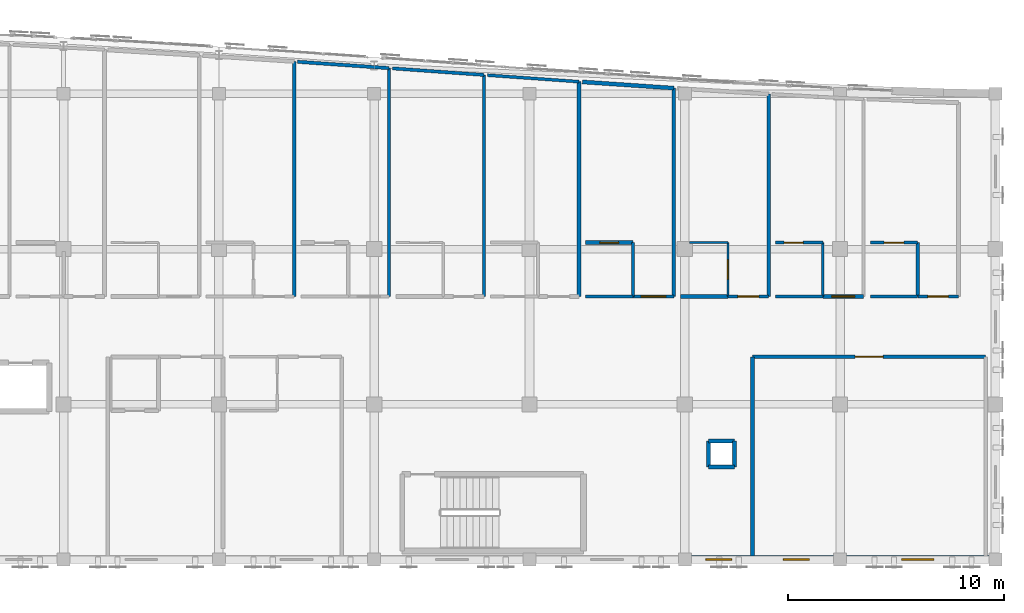
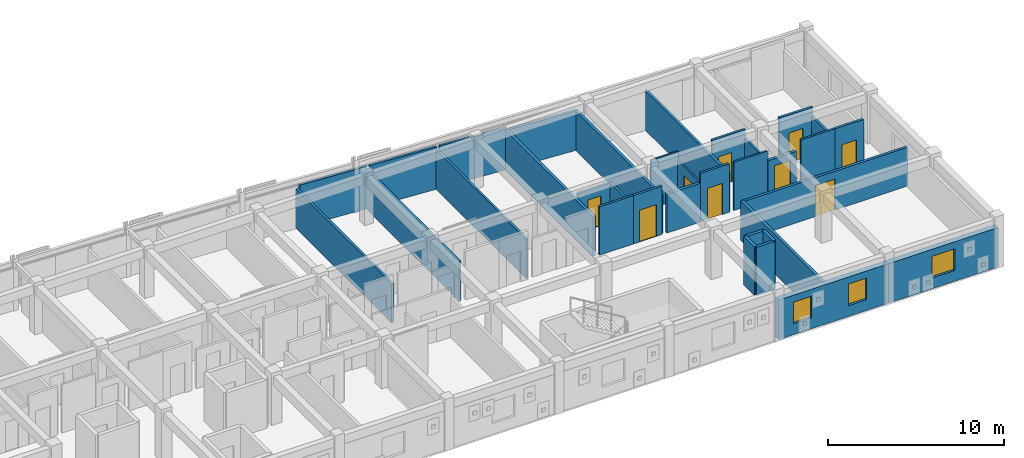
# One storey, part 43 of 48: 34 walls, 9 doors, 3 windows, 12 openings.
"""IFC4 building model written with IfcOpenShell, lengths in metres."""

from ifc_helpers import new_model, si_unit, direction, frame, frame_2d, origin, place, context, subcontext, project, spatial, rectangle, extrude, material, layer, layer_set, type_object, element, fill, save


model = new_model("IFC4")

# Units and contexts
model_context = context("Model", 3, precision=1e-05, world=origin(), true_north=direction((0.0, 1.0)))
body_context = subcontext(model_context, "Body", "Model", "MODEL_VIEW")
ifc_project = project(units=[si_unit("LENGTHUNIT", "METRE"), si_unit("AREAUNIT", "SQUARE_METRE"), si_unit("VOLUMEUNIT", "CUBIC_METRE"), si_unit("PLANEANGLEUNIT", "RADIAN"), si_unit("MASSUNIT", "GRAM", prefix="KILO")], contexts=[model_context])

# Site, building, storey
site_placement = place(None, origin())
site = spatial("IfcSite", under=ifc_project, at=site_placement, CompositionType="ELEMENT")
building_placement = place(site_placement, origin())
building = spatial("IfcBuilding", under=site, at=building_placement, Name="Carrowvane Square Congress Hotel", CompositionType="ELEMENT")
storey_placement = place(building_placement, frame((0.0, 0.0, 26.39990234375)))
storey = spatial("IfcBuildingStorey", under=building, at=storey_placement, Name="L06", CompositionType="ELEMENT", Elevation=26.39990234375)

# Wall, opening, window
ifc_material_1 = material(Name="Glazed terracotta rainscreen", Category="masonry")
ifc_layer_1 = layer(ifc_material_1, 0.360107421875)
ifc_layer_set_1 = layer_set([ifc_layer_1], Name="Glazed terracotta rainscreen")
wall_type_1 = type_object("IfcWallType", Name="WL-EXT-TC360", PredefinedType="STANDARD", material=ifc_layer_set_1)
wall_1_placement = place(storey_placement, frame((162.800048828125, 91.800048828125, 0.0), z_axis=(0.0, 0.0, 1.0), x_axis=(-1.0, 0.0, 0.0)))
wall_1 = element("IfcWall", 1, at=wall_1_placement, inside=storey, type_object=wall_type_1, Name="L06 exterior facade wall 486", PredefinedType="STANDARD", context=body_context, shape_type="SweptSolid", body=[
    extrude(rectangle(XDim=7.199951171875, YDim=0.360107421875, at=frame_2d((3.60009765625, 0.0))), origin(), (0.0, 0.0, 1.0), 2.735107421875),
])
opening_1_placement = place(wall_1_placement, frame((2.85009765625, 0.0, 0.75)))
opening_1 = element("IfcOpeningElement", 2, at=opening_1_placement, cuts=wall_1, Name="Opening W-15", PredefinedType="OPENING", context=body_context, shape_type="SweptSolid", body=[
    extrude(rectangle(XDim=1.5, YDim=1.5, at=frame_2d((0.75, 0.75))), frame((0.0, 0.18994140625, 0.0), z_axis=(0.0, -1.0, 0.0), x_axis=(1.0, 0.0, 0.0)), (0.0, 0.0, 1.0), 0.380126953125),
])
ifc_material_2 = material(Name="Double-glazed low-E glass", Category="glass")
window_type_1 = type_object("IfcWindowType", Name="WIN-15", PartitioningType="SINGLE_PANEL", PredefinedType="WINDOW", material=ifc_material_2)
window_1_placement = place(opening_1_placement, origin())
window_1 = element("IfcWindow", 3, at=window_1_placement, inside=storey, type_object=window_type_1, Name="L06 facade window 316", OverallHeight=1.5, OverallWidth=1.5, PartitioningType="SINGLE_PANEL", PredefinedType="WINDOW", context=body_context, shape_type="SweptSolid", body=[
    extrude(rectangle(XDim=1.5, YDim=1.5, at=frame_2d((0.75, 0.75))), frame((0.0, 0.030029296875, 0.0), z_axis=(0.0, -1.0, 0.0), x_axis=(1.0, 0.0, 0.0)), (0.0, 0.0, 1.0), 0.06005859375),
])
fill(opening_1, window_1)

# Wall, openings, windows
wall_2_placement = place(storey_placement, frame((155.60009765625, 91.800048828125, 0.0), z_axis=(0.0, 0.0, 1.0), x_axis=(-1.0, 0.0, 0.0)))
wall_2 = element("IfcWall", 4, at=wall_2_placement, inside=storey, type_object=wall_type_1, Name="L06 exterior facade wall 487", PredefinedType="STANDARD", context=body_context, shape_type="SweptSolid", body=[
    extrude(rectangle(XDim=7.2001953125, YDim=0.360107421875, at=frame_2d((3.60009765625, 0.0))), origin(), (0.0, 0.0, 1.0), 2.735107421875),
])
opening_2_placement = place(wall_2_placement, frame((1.425048828125, 0.0, 0.75)))
opening_2 = element("IfcOpeningElement", 5, at=opening_2_placement, cuts=wall_2, Name="Opening W-01", PredefinedType="OPENING", context=body_context, shape_type="SweptSolid", body=[
    extrude(rectangle(XDim=1.199951171875, YDim=1.5, at=frame_2d((0.60009765625, 0.75))), frame((0.0, 0.18994140625, 0.0), z_axis=(0.0, -1.0, 0.0), x_axis=(1.0, 0.0, 0.0)), (0.0, 0.0, 1.0), 0.380126953125),
])
opening_3_placement = place(wall_2_placement, frame((5.02490234375, 0.0, 0.75)))
opening_3 = element("IfcOpeningElement", 6, at=opening_3_placement, cuts=wall_2, Name="Opening W-01", PredefinedType="OPENING", context=body_context, shape_type="SweptSolid", body=[
    extrude(rectangle(XDim=1.199951171875, YDim=1.5, at=frame_2d((0.60009765625, 0.75))), frame((0.0, 0.18994140625, 0.0), z_axis=(0.0, -1.0, 0.0), x_axis=(1.0, 0.0, 0.0)), (0.0, 0.0, 1.0), 0.380126953125),
])
ifc_material_3 = material(Name="Double-glazed low-E glass", Category="glass")
window_type_2 = type_object("IfcWindowType", Name="WIN-01", PartitioningType="SINGLE_PANEL", PredefinedType="WINDOW", material=ifc_material_3)
window_2_placement = place(opening_2_placement, origin())
window_2 = element("IfcWindow", 7, at=window_2_placement, inside=storey, type_object=window_type_2, Name="L06 facade window 317", OverallHeight=1.5, OverallWidth=1.199951171875, PartitioningType="SINGLE_PANEL", PredefinedType="WINDOW", context=body_context, shape_type="SweptSolid", body=[
    extrude(rectangle(XDim=1.199951171875, YDim=1.5, at=frame_2d((0.60009765625, 0.75))), frame((0.0, 0.030029296875, 0.0), z_axis=(0.0, -1.0, 0.0), x_axis=(1.0, 0.0, 0.0)), (0.0, 0.0, 1.0), 0.06005859375),
])
fill(opening_2, window_2)
window_3_placement = place(opening_3_placement, origin())
window_3 = element("IfcWindow", 8, at=window_3_placement, inside=storey, type_object=window_type_2, Name="L06 split-bay facade window WIN-L06-0317-1", OverallHeight=1.5, OverallWidth=1.199951171875, PartitioningType="SINGLE_PANEL", PredefinedType="WINDOW", context=body_context, shape_type="SweptSolid", body=[
    extrude(rectangle(XDim=1.199951171875, YDim=1.5, at=frame_2d((0.60009765625, 0.75))), frame((0.0, 0.030029296875, 0.0), z_axis=(0.0, -1.0, 0.0), x_axis=(1.0, 0.0, 0.0)), (0.0, 0.0, 1.0), 0.06005859375),
])
fill(opening_3, window_3)

# Walls
ifc_material_4 = material(Name="Acoustic gypsum board", Category="gypsum")
ifc_layer_2 = layer(ifc_material_4, 0.155029296875)
ifc_layer_set_2 = layer_set([ifc_layer_2], Name="Acoustic gypsum board")
wall_type_2 = type_object("IfcWallType", Name="WL-FIR-155", PredefinedType="PARTITIONING", material=ifc_layer_set_2)
wall_3_placement = place(storey_placement, frame((130.2900390625, 114.892822265625, 0.0), z_axis=(0.0, 0.0, 1.0), x_axis=(0.0, -1.0, 0.0)))
element("IfcWall", 9, at=wall_3_placement, inside=storey, type_object=wall_type_2, Name="L06 Parkview Guest Bedroom 0625 partition", PredefinedType="PARTITIONING", context=body_context, shape_type="SweptSolid", body=[
    extrude(rectangle(XDim=10.892822265625, YDim=0.155029296875, at=frame_2d((5.4462890625, 0.0))), origin(), (0.0, 0.0, 1.0), 2.735107421875),
])
wall_4_placement = place(storey_placement, frame((130.449951171875, 114.8818359375, 0.0), z_axis=(0.0, 0.0, 1.0), x_axis=(0.997589640376, -0.069389548314, 0.0)))
element("IfcWall", 10, at=wall_4_placement, inside=storey, type_object=wall_type_2, Name="L06 Parkview Guest Bedroom 0626 partition", PredefinedType="PARTITIONING", context=body_context, shape_type="SweptSolid", body=[
    extrude(rectangle(XDim=4.250244140625, YDim=0.155029296875, at=frame_2d((2.125, 0.0))), origin(), (0.0, 0.0, 1.0), 2.92578125),
])
wall_5_placement = place(storey_placement, frame((146.0, 106.5, 0.0), z_axis=(0.0, 0.0, 1.0), x_axis=(0.0, -1.0, 0.0)))
element("IfcWall", 11, at=wall_5_placement, inside=storey, type_object=wall_type_2, Name="L06 En-suite Bathroom 0629 partition", PredefinedType="PARTITIONING", context=body_context, shape_type="SweptSolid", body=[
    extrude(rectangle(XDim=2.5, YDim=0.155029296875, at=frame_2d((1.25, 0.0))), origin(), (0.0, 0.0, 1.0), 2.735107421875),
])

# Wall, opening, door
wall_6_placement = place(storey_placement, frame((147.889892578125, 104.0, 0.0), z_axis=(0.0, 0.0, 1.0), x_axis=(-1.0, 0.0, 0.0)))
wall_6 = element("IfcWall", 12, at=wall_6_placement, inside=storey, type_object=wall_type_2, Name="L06 Parkview Guest Bedroom 0629 partition", PredefinedType="PARTITIONING", context=body_context, shape_type="SweptSolid", body=[
    extrude(rectangle(XDim=1.8798828125, YDim=0.155029296875, at=frame_2d((0.93994140625, 0.0))), origin(), (0.0, 0.0, 1.0), 3.35009765625),
])
opening_4_placement = place(wall_6_placement, frame((0.3798828125, 0.0, 0.0)))
opening_4 = element("IfcOpeningElement", 13, at=opening_4_placement, cuts=wall_6, Name="Opening FD-10", PredefinedType="OPENING", context=body_context, shape_type="SweptSolid", body=[
    extrude(rectangle(XDim=1.1201171875, YDim=2.199951171875, at=frame_2d((0.56005859375, 1.10009765625))), frame((0.0, 0.08740234375, 0.0), z_axis=(0.0, -1.0, 0.0), x_axis=(1.0, 0.0, 0.0)), (0.0, 0.0, 1.0), 0.175048828125),
])
ifc_material_5 = material(Name="European oak timber", Category="wood")
door_type_1 = type_object("IfcDoorType", Name="DR-FD30-1120x2200", OperationType="NOTDEFINED", PredefinedType="DOOR", material=ifc_material_5)
door_1_placement = place(opening_4_placement, origin())
door_1 = element("IfcDoor", 14, at=door_1_placement, inside=storey, type_object=door_type_1, Name="L06 Parkview Guest Bedroom 0629 entrance door", OperationType="SINGLE_SWING_LEFT", OverallHeight=2.199951171875, OverallWidth=1.1201171875, PredefinedType="DOOR", context=body_context, shape_type="SweptSolid", body=[
    extrude(rectangle(XDim=1.1201171875, YDim=2.199951171875, at=frame_2d((0.56005859375, 1.10009765625))), frame((0.0, 0.02490234375, 0.0), z_axis=(0.0, -1.0, 0.0), x_axis=(1.0, 0.0, 0.0)), (0.0, 0.0, 1.0), 0.050048828125),
])
fill(opening_4, door_1)

# Wall
wall_7_placement = place(storey_placement, frame((152.2900390625, 113.385009765625, 0.0), z_axis=(0.0, 0.0, 1.0), x_axis=(0.0, -1.0, 0.0)))
element("IfcWall", 15, at=wall_7_placement, inside=storey, type_object=wall_type_2, Name="L06 Parkview Guest Bedroom 0630 partition", PredefinedType="PARTITIONING", context=body_context, shape_type="SweptSolid", body=[
    extrude(rectangle(XDim=9.385009765625, YDim=0.155029296875, at=frame_2d((4.6923828125, 0.0))), origin(), (0.0, 0.0, 1.0), 2.735107421875),
])

# Wall, opening, door
wall_8_placement = place(storey_placement, frame((157.0, 106.5, 0.0), z_axis=(0.0, 0.0, 1.0), x_axis=(1.0, 0.0, 0.0)))
wall_8 = element("IfcWall", 16, at=wall_8_placement, inside=storey, type_object=wall_type_2, Name="L06 En-suite Bathroom 0632 partition", PredefinedType="PARTITIONING", context=body_context, shape_type="SweptSolid", body=[
    extrude(rectangle(XDim=2.199951171875, YDim=0.155029296875, at=frame_2d((1.10009765625, 0.0))), origin(), (0.0, 0.0, 1.0), 3.35009765625),
])
opening_5_placement = place(wall_8_placement, frame((0.639892578125, 0.0, 0.0)))
opening_5 = element("IfcOpeningElement", 17, at=opening_5_placement, cuts=wall_8, Name="Opening ID-03", PredefinedType="OPENING", context=body_context, shape_type="SweptSolid", body=[
    extrude(rectangle(XDim=0.919921875, YDim=2.10009765625, at=frame_2d((0.4599609375, 1.050048828125))), frame((0.0, 0.08740234375, 0.0), z_axis=(0.0, -1.0, 0.0), x_axis=(1.0, 0.0, 0.0)), (0.0, 0.0, 1.0), 0.175048828125),
])
ifc_material_6 = material(Name="European oak timber", Category="wood")
door_type_2 = type_object("IfcDoorType", Name="DR-INT-0920x2100", OperationType="NOTDEFINED", PredefinedType="DOOR", material=ifc_material_6)
door_2_placement = place(opening_5_placement, origin())
door_2 = element("IfcDoor", 18, at=door_2_placement, inside=storey, type_object=door_type_2, Name="L06 En-suite Bathroom 0632 door", OperationType="SINGLE_SWING_RIGHT", OverallHeight=2.10009765625, OverallWidth=0.919921875, PredefinedType="DOOR", context=body_context, shape_type="SweptSolid", body=[
    extrude(rectangle(XDim=0.919921875, YDim=2.10009765625, at=frame_2d((0.4599609375, 1.050048828125))), frame((0.0, 0.02490234375, 0.0), z_axis=(0.0, -1.0, 0.0), x_axis=(1.0, 0.0, 0.0)), (0.0, 0.0, 1.0), 0.050048828125),
])
fill(opening_5, door_2)

wall_9_placement = place(storey_placement, frame((161.090087890625, 104.0, 0.0), z_axis=(0.0, 0.0, 1.0), x_axis=(-1.0, 0.0, 0.0)))
wall_9 = element("IfcWall", 19, at=wall_9_placement, inside=storey, type_object=wall_type_2, Name="L06 Parkview Guest Bedroom 0632 partition", PredefinedType="PARTITIONING", context=body_context, shape_type="SweptSolid", body=[
    extrude(rectangle(XDim=1.880126953125, YDim=0.155029296875, at=frame_2d((0.93994140625, 0.0))), origin(), (0.0, 0.0, 1.0), 3.35009765625),
])
opening_6_placement = place(wall_9_placement, frame((0.465087890625, 0.0, 0.0)))
opening_6 = element("IfcOpeningElement", 20, at=opening_6_placement, cuts=wall_9, Name="Opening FD-06", PredefinedType="OPENING", context=body_context, shape_type="SweptSolid", body=[
    extrude(rectangle(XDim=0.949951171875, YDim=2.10009765625, at=frame_2d((0.47509765625, 1.050048828125))), frame((0.0, 0.08740234375, 0.0), z_axis=(0.0, -1.0, 0.0), x_axis=(1.0, 0.0, 0.0)), (0.0, 0.0, 1.0), 0.175048828125),
])
ifc_material_7 = material(Name="European oak timber", Category="wood")
door_type_3 = type_object("IfcDoorType", Name="DR-FD30-0950x2100", OperationType="NOTDEFINED", PredefinedType="DOOR", material=ifc_material_7)
door_3_placement = place(opening_6_placement, origin())
door_3 = element("IfcDoor", 21, at=door_3_placement, inside=storey, type_object=door_type_3, Name="L06 Parkview Guest Bedroom 0632 entrance door", OperationType="SINGLE_SWING_LEFT", OverallHeight=2.10009765625, OverallWidth=0.949951171875, PredefinedType="DOOR", context=body_context, shape_type="SweptSolid", body=[
    extrude(rectangle(XDim=0.949951171875, YDim=2.10009765625, at=frame_2d((0.47509765625, 1.050048828125))), frame((0.0, 0.02490234375, 0.0), z_axis=(0.0, -1.0, 0.0), x_axis=(1.0, 0.0, 0.0)), (0.0, 0.0, 1.0), 0.050048828125),
])
fill(opening_6, door_3)

ifc_material_8 = material(Name="Acoustic gypsum board", Category="gypsum")
ifc_layer_3 = layer(ifc_material_8, 0.169921875)
ifc_layer_set_3 = layer_set([ifc_layer_3], Name="Acoustic gypsum board")
wall_type_3 = type_object("IfcWallType", Name="WL-FIR-170", PredefinedType="PARTITIONING", material=ifc_layer_set_3)
wall_10_placement = place(storey_placement, frame((151.550048828125, 101.199951171875, 0.0), z_axis=(0.0, 0.0, 1.0), x_axis=(1.0, 0.0, 0.0)))
wall_10 = element("IfcWall", 22, at=wall_10_placement, inside=storey, type_object=wall_type_3, Name="L06 L06 Diplomatic Reception Lounge partition", PredefinedType="PARTITIONING", context=body_context, shape_type="SweptSolid", body=[
    extrude(rectangle(XDim=10.800048828125, YDim=0.169921875, at=frame_2d((5.39990234375, 0.0))), origin(), (0.0, 0.0, 1.0), 2.68505859375),
])
opening_7_placement = place(wall_10_placement, frame((4.75, 0.0, 0.0)))
opening_7 = element("IfcOpeningElement", 23, at=opening_7_placement, cuts=wall_10, Name="Opening FD-03", PredefinedType="OPENING", context=body_context, shape_type="SweptSolid", body=[
    extrude(rectangle(XDim=1.300048828125, YDim=2.14990234375, at=frame_2d((0.64990234375, 1.074951171875))), frame((0.0, 0.094970703125, 0.0), z_axis=(0.0, -1.0, 0.0), x_axis=(1.0, 0.0, 0.0)), (0.0, 0.0, 1.0), 0.18994140625),
])
ifc_material_9 = material(Name="European oak timber", Category="wood")
door_type_4 = type_object("IfcDoorType", Name="DR-FD60-1300x2150", OperationType="NOTDEFINED", PredefinedType="DOOR", material=ifc_material_9)
door_4_placement = place(opening_7_placement, origin())
door_4 = element("IfcDoor", 24, at=door_4_placement, inside=storey, type_object=door_type_4, Name="L06 L06 Diplomatic Reception Lounge entrance door", OperationType="SINGLE_SWING_LEFT", OverallHeight=2.14990234375, OverallWidth=1.300048828125, PredefinedType="DOOR", context=body_context, shape_type="SweptSolid", body=[
    extrude(rectangle(XDim=1.300048828125, YDim=2.14990234375, at=frame_2d((0.64990234375, 1.074951171875))), frame((0.0, 0.02490234375, 0.0), z_axis=(0.0, -1.0, 0.0), x_axis=(1.0, 0.0, 0.0)), (0.0, 0.0, 1.0), 0.050048828125),
])
fill(opening_7, door_4)

wall_11_placement = place(storey_placement, frame((143.800048828125, 106.5, 0.0), z_axis=(0.0, 0.0, 1.0), x_axis=(1.0, 0.0, 0.0)))
wall_11 = element("IfcWall", 25, at=wall_11_placement, inside=storey, type_object=wall_type_3, Name="L06 En-suite Bathroom 0629 partition", PredefinedType="PARTITIONING", context=body_context, shape_type="SweptSolid", body=[
    extrude(rectangle(XDim=2.199951171875, YDim=0.169921875, at=frame_2d((1.10009765625, 0.0))), origin(), (0.0, 0.0, 1.0), 2.735107421875),
])
opening_8_placement = place(wall_11_placement, frame((0.6650390625, 0.0, 0.0)))
opening_8 = element("IfcOpeningElement", 26, at=opening_8_placement, cuts=wall_11, Name="Opening ID-15", PredefinedType="OPENING", context=body_context, shape_type="SweptSolid", body=[
    extrude(rectangle(XDim=0.8701171875, YDim=2.070068359375, at=frame_2d((0.43505859375, 1.03515625))), frame((0.0, 0.094970703125, 0.0), z_axis=(0.0, -1.0, 0.0), x_axis=(1.0, 0.0, 0.0)), (0.0, 0.0, 1.0), 0.18994140625),
])
ifc_material_10 = material(Name="European oak timber", Category="wood")
door_type_5 = type_object("IfcDoorType", Name="DR-INT-0870x2070", OperationType="NOTDEFINED", PredefinedType="DOOR", material=ifc_material_10)
door_5_placement = place(opening_8_placement, origin())
door_5 = element("IfcDoor", 27, at=door_5_placement, inside=storey, type_object=door_type_5, Name="L06 En-suite Bathroom 0629 door", OperationType="SINGLE_SWING_RIGHT", OverallHeight=2.070068359375, OverallWidth=0.8701171875, PredefinedType="DOOR", context=body_context, shape_type="SweptSolid", body=[
    extrude(rectangle(XDim=0.8701171875, YDim=2.070068359375, at=frame_2d((0.43505859375, 1.03515625))), frame((0.0, 0.02490234375, 0.0), z_axis=(0.0, -1.0, 0.0), x_axis=(1.0, 0.0, 0.0)), (0.0, 0.0, 1.0), 0.050048828125),
])
fill(opening_8, door_5)

# Walls
wall_12_placement = place(storey_placement, frame((147.889892578125, 113.659423828125, 0.0), z_axis=(0.0, 0.0, 1.0), x_axis=(0.0, -1.0, 0.0)))
element("IfcWall", 28, at=wall_12_placement, inside=storey, type_object=wall_type_3, Name="L06 Parkview Guest Bedroom 0629 partition", PredefinedType="PARTITIONING", context=body_context, shape_type="SweptSolid", body=[
    extrude(rectangle(XDim=9.659423828125, YDim=0.169921875, at=frame_2d((4.82958984375, 0.0))), origin(), (0.0, 0.0, 1.0), 2.735107421875),
])
ifc_material_11 = material(Name="Acoustic gypsum board", Category="gypsum")
ifc_layer_4 = layer(ifc_material_11, 0.18505859375)
ifc_layer_set_4 = layer_set([ifc_layer_4], Name="Acoustic gypsum board")
wall_type_4 = type_object("IfcWallType", Name="WL-FIR-185", PredefinedType="PARTITIONING", material=ifc_layer_set_4)
wall_13_placement = place(storey_placement, frame((151.550048828125, 91.9599609375, 0.0), z_axis=(0.0, 0.0, 1.0), x_axis=(0.0, 1.0, 0.0)))
element("IfcWall", 29, at=wall_13_placement, inside=storey, type_object=wall_type_4, Name="L06 L06 Diplomatic Reception Lounge partition", PredefinedType="PARTITIONING", context=body_context, shape_type="SweptSolid", body=[
    extrude(rectangle(XDim=9.239990234375, YDim=0.18505859375, at=frame_2d((4.6201171875, 0.0))), origin(), (0.0, 0.0, 1.0), 2.735107421875),
])
wall_14_placement = place(storey_placement, frame((143.489990234375, 113.959228515625, 0.0), z_axis=(0.0, 0.0, 1.0), x_axis=(0.0, -1.0, 0.0)))
element("IfcWall", 30, at=wall_14_placement, inside=storey, type_object=wall_type_4, Name="L06 Parkview Guest Bedroom 0628 partition", PredefinedType="PARTITIONING", context=body_context, shape_type="SweptSolid", body=[
    extrude(rectangle(XDim=9.959228515625, YDim=0.18505859375, at=frame_2d((4.9794921875, 0.0))), origin(), (0.0, 0.0, 1.0), 2.735107421875),
])
wall_15_placement = place(storey_placement, frame((143.64990234375, 113.947998046875, 0.0), z_axis=(0.0, 0.0, 1.0), x_axis=(0.997691925912, -0.067903026224, 0.0)))
element("IfcWall", 31, at=wall_15_placement, inside=storey, type_object=wall_type_4, Name="L06 Parkview Guest Bedroom 0629 partition", PredefinedType="PARTITIONING", context=body_context, shape_type="SweptSolid", body=[
    extrude(rectangle(XDim=4.249755859375, YDim=0.18505859375, at=frame_2d((2.125, 0.0))), origin(), (0.0, 0.0, 1.0), 2.735107421875),
])
wall_16_placement = place(storey_placement, frame((150.39990234375, 104.0, 0.0), z_axis=(0.0, 0.0, 1.0), x_axis=(-1.0, 0.0, 0.0)))
element("IfcWall", 32, at=wall_16_placement, inside=storey, type_object=wall_type_4, Name="L06 En-suite Bathroom 0630 partition", PredefinedType="PARTITIONING", context=body_context, shape_type="SweptSolid", body=[
    extrude(rectangle(XDim=2.199951171875, YDim=0.18505859375, at=frame_2d((1.10009765625, 0.0))), origin(), (0.0, 0.0, 1.0), 2.68505859375),
])

# Wall, opening, door
wall_17_placement = place(storey_placement, frame((156.68994140625, 104.0, 0.0), z_axis=(0.0, 0.0, 1.0), x_axis=(-1.0, 0.0, 0.0)))
wall_17 = element("IfcWall", 33, at=wall_17_placement, inside=storey, type_object=wall_type_4, Name="L06 Parkview Guest Bedroom 0631 partition", PredefinedType="PARTITIONING", context=body_context, shape_type="SweptSolid", body=[
    extrude(rectangle(XDim=1.8798828125, YDim=0.18505859375, at=frame_2d((0.93994140625, 0.0))), origin(), (0.0, 0.0, 1.0), 2.68505859375),
])
opening_9_placement = place(wall_17_placement, frame((0.409912109375, 0.0, 0.0)))
opening_9 = element("IfcOpeningElement", 34, at=opening_9_placement, cuts=wall_17, Name="Opening FD-09", PredefinedType="OPENING", context=body_context, shape_type="SweptSolid", body=[
    extrude(rectangle(XDim=1.06005859375, YDim=2.199951171875, at=frame_2d((0.530029296875, 1.10009765625))), frame((0.0, 0.1025390625, 0.0), z_axis=(0.0, -1.0, 0.0), x_axis=(1.0, 0.0, 0.0)), (0.0, 0.0, 1.0), 0.205078125),
])
ifc_material_12 = material(Name="European oak timber", Category="wood")
door_type_6 = type_object("IfcDoorType", Name="DR-FD30-1060x2200", OperationType="NOTDEFINED", PredefinedType="DOOR", material=ifc_material_12)
door_6_placement = place(opening_9_placement, origin())
door_6 = element("IfcDoor", 35, at=door_6_placement, inside=storey, type_object=door_type_6, Name="L06 Parkview Guest Bedroom 0631 entrance door", OperationType="SINGLE_SWING_LEFT", OverallHeight=2.199951171875, OverallWidth=1.06005859375, PredefinedType="DOOR", context=body_context, shape_type="SweptSolid", body=[
    extrude(rectangle(XDim=1.06005859375, YDim=2.199951171875, at=frame_2d((0.530029296875, 1.10009765625))), frame((0.0, 0.02490234375, 0.0), z_axis=(0.0, -1.0, 0.0), x_axis=(1.0, 0.0, 0.0)), (0.0, 0.0, 1.0), 0.050048828125),
])
fill(opening_9, door_6)

# Walls
ifc_material_13 = material(Name="Standing-seam zinc cladding", Category="metal")
ifc_layer_5 = layer(ifc_material_13, 0.195068359375)
ifc_layer_set_5 = layer_set([ifc_layer_5], Name="Standing-seam zinc cladding")
wall_type_5 = type_object("IfcWallType", Name="WL-PAR-195", PredefinedType="PARAPET", material=ifc_layer_set_5)
for number, where, z_axis, x_axis, name in (
    (36, (149.5, 96.10009765625, 0.0), (0.0, 0.0, 1.0), (1.0, 0.0, 0.0), "L06 service riser RSR-V5E enclosure S"),
    (37, (150.699951171875, 96.10009765625, 0.0), (0.0, 0.0, 1.0), (0.0, 1.0, 0.0), "L06 service riser RSR-V5E enclosure E"),
    (38, (150.699951171875, 97.300048828125, 0.0), (0.0, 0.0, 1.0), (-1.0, 0.0, 0.0), "L06 service riser RSR-V5E enclosure N"),
    (39, (149.5, 97.300048828125, 0.0), (0.0, 0.0, 1.0), (0.0, -1.0, 0.0), "L06 service riser RSR-V5E enclosure W"),
):
    element("IfcWall", number, at=place(storey_placement, frame(where, z_axis=z_axis, x_axis=x_axis)), inside=storey, type_object=wall_type_5, Name=name, PredefinedType="PARAPET", context=body_context, shape_type="SweptSolid", body=[
        extrude(rectangle(XDim=1.199951171875, YDim=0.195068359375, at=frame_2d((0.60009765625, 0.0))), origin(), (0.0, 0.0, 1.0), 3.35009765625),
    ])

# Wall, opening, door
ifc_material_14 = material(Name="Acoustic gypsum board", Category="gypsum")
ifc_layer_6 = layer(ifc_material_14, 0.097900390625)
ifc_layer_set_6 = layer_set([ifc_layer_6], Name="Acoustic gypsum board")
wall_type_6 = type_object("IfcWallType", Name="WL-PRT-098", PredefinedType="PARTITIONING", material=ifc_layer_set_6)
wall_18_placement = place(storey_placement, frame((150.39990234375, 106.5, 0.0), z_axis=(0.0, 0.0, 1.0), x_axis=(0.0, -1.0, 0.0)))
wall_18 = element("IfcWall", 40, at=wall_18_placement, inside=storey, type_object=wall_type_6, Name="L06 En-suite Bathroom 0630 partition", PredefinedType="PARTITIONING", context=body_context, shape_type="SweptSolid", body=[
    extrude(rectangle(XDim=2.5, YDim=0.097900390625, at=frame_2d((1.25, 0.0))), origin(), (0.0, 0.0, 1.0), 2.735107421875),
])
opening_10_placement = place(wall_18_placement, frame((0.794921875, 0.0, 0.0)))
opening_10 = element("IfcOpeningElement", 41, at=opening_10_placement, cuts=wall_18, Name="Opening ID-17", PredefinedType="OPENING", context=body_context, shape_type="SweptSolid", body=[
    extrude(rectangle(XDim=0.909912109375, YDim=2.110107421875, at=frame_2d((0.455078125, 1.05517578125))), frame((0.0, 0.058837890625, 0.0), z_axis=(0.0, -1.0, 0.0), x_axis=(1.0, 0.0, 0.0)), (0.0, 0.0, 1.0), 0.117919921875),
])
ifc_material_15 = material(Name="European oak timber", Category="wood")
door_type_7 = type_object("IfcDoorType", Name="DR-INT-0910x2110", OperationType="NOTDEFINED", PredefinedType="DOOR", material=ifc_material_15)
door_7_placement = place(opening_10_placement, origin())
door_7 = element("IfcDoor", 42, at=door_7_placement, inside=storey, type_object=door_type_7, Name="L06 En-suite Bathroom 0630 door", OperationType="SINGLE_SWING_RIGHT", OverallHeight=2.110107421875, OverallWidth=0.909912109375, PredefinedType="DOOR", context=body_context, shape_type="SweptSolid", body=[
    extrude(rectangle(XDim=0.909912109375, YDim=2.110107421875, at=frame_2d((0.455078125, 1.05517578125))), frame((0.0, 0.02490234375, 0.0), z_axis=(0.0, -1.0, 0.0), x_axis=(1.0, 0.0, 0.0)), (0.0, 0.0, 1.0), 0.050048828125),
])
fill(opening_10, door_7)

# Walls
ifc_material_16 = material(Name="Acoustic gypsum board", Category="gypsum")
ifc_layer_7 = layer(ifc_material_16, 0.10791015625)
ifc_layer_set_7 = layer_set([ifc_layer_7], Name="Acoustic gypsum board")
wall_type_7 = type_object("IfcWallType", Name="WL-PRT-108", PredefinedType="PARTITIONING", material=ifc_layer_set_7)
wall_19_placement = place(storey_placement, frame((148.610107421875, 106.5, 0.0), z_axis=(0.0, 0.0, 1.0), x_axis=(1.0, 0.0, 0.0)))
element("IfcWall", 43, at=wall_19_placement, inside=storey, type_object=wall_type_7, Name="L06 En-suite Bathroom 0630 partition", PredefinedType="PARTITIONING", context=body_context, shape_type="SweptSolid", body=[
    extrude(rectangle(XDim=1.789794921875, YDim=0.10791015625, at=frame_2d((0.89501953125, 0.0))), origin(), (0.0, 0.0, 1.0), 3.35009765625),
])
ifc_material_17 = material(Name="Acoustic gypsum board", Category="gypsum")
ifc_layer_8 = layer(ifc_material_17, 0.117919921875)
ifc_layer_set_8 = layer_set([ifc_layer_8], Name="Acoustic gypsum board")
wall_type_8 = type_object("IfcWallType", Name="WL-PRT-118", PredefinedType="PARTITIONING", material=ifc_layer_set_8)
wall_20_placement = place(storey_placement, frame((154.800048828125, 104.0, 0.0), z_axis=(0.0, 0.0, 1.0), x_axis=(-1.0, 0.0, 0.0)))
element("IfcWall", 44, at=wall_20_placement, inside=storey, type_object=wall_type_8, Name="L06 En-suite Bathroom 0631 partition", PredefinedType="PARTITIONING", context=body_context, shape_type="SweptSolid", body=[
    extrude(rectangle(XDim=2.199951171875, YDim=0.117919921875, at=frame_2d((1.10009765625, 0.0))), origin(), (0.0, 0.0, 1.0), 3.35009765625),
])
ifc_material_18 = material(Name="Acoustic gypsum board", Category="gypsum")
ifc_layer_9 = layer(ifc_material_18, 0.1279296875)
ifc_layer_set_9 = layer_set([ifc_layer_9], Name="Acoustic gypsum board")
wall_type_9 = type_object("IfcWallType", Name="WL-PRT-128", PredefinedType="PARTITIONING", material=ifc_layer_set_9)
wall_21_placement = place(storey_placement, frame((154.800048828125, 106.5, 0.0), z_axis=(0.0, 0.0, 1.0), x_axis=(0.0, -1.0, 0.0)))
element("IfcWall", 45, at=wall_21_placement, inside=storey, type_object=wall_type_9, Name="L06 En-suite Bathroom 0631 partition", PredefinedType="PARTITIONING", context=body_context, shape_type="SweptSolid", body=[
    extrude(rectangle(XDim=2.5, YDim=0.1279296875, at=frame_2d((1.25, 0.0))), origin(), (0.0, 0.0, 1.0), 2.735107421875),
])
ifc_material_19 = material(Name="Acoustic gypsum board", Category="gypsum")
ifc_layer_10 = layer(ifc_material_19, 0.137939453125)
ifc_layer_set_10 = layer_set([ifc_layer_10], Name="Acoustic gypsum board")
wall_type_10 = type_object("IfcWallType", Name="WL-PRT-138", PredefinedType="PARTITIONING", material=ifc_layer_set_10)
wall_22_placement = place(storey_placement, frame((139.090087890625, 114.2724609375, 0.0), z_axis=(0.0, 0.0, 1.0), x_axis=(0.0, -1.0, 0.0)))
element("IfcWall", 46, at=wall_22_placement, inside=storey, type_object=wall_type_10, Name="L06 Parkview Guest Bedroom 0627 partition", PredefinedType="PARTITIONING", context=body_context, shape_type="SweptSolid", body=[
    extrude(rectangle(XDim=10.2724609375, YDim=0.137939453125, at=frame_2d((5.13623046875, 0.0))), origin(), (0.0, 0.0, 1.0), 2.735107421875),
])
wall_23_placement = place(storey_placement, frame((139.25, 114.260986328125, 0.0), z_axis=(0.0, 0.0, 1.0), x_axis=(0.997477034285, -0.070989901214, 0.0)))
element("IfcWall", 47, at=wall_23_placement, inside=storey, type_object=wall_type_10, Name="L06 Parkview Guest Bedroom 0628 partition", PredefinedType="PARTITIONING", context=body_context, shape_type="SweptSolid", body=[
    extrude(rectangle(XDim=4.250732421875, YDim=0.137939453125, at=frame_2d((2.12548828125, 0.0))), origin(), (0.0, 0.0, 1.0), 2.92578125),
])

# Wall, opening, door
wall_24_placement = place(storey_placement, frame((152.60009765625, 106.5, 0.0), z_axis=(0.0, 0.0, 1.0), x_axis=(1.0, 0.0, 0.0)))
wall_24 = element("IfcWall", 48, at=wall_24_placement, inside=storey, type_object=wall_type_10, Name="L06 En-suite Bathroom 0631 partition", PredefinedType="PARTITIONING", context=body_context, shape_type="SweptSolid", body=[
    extrude(rectangle(XDim=2.199951171875, YDim=0.137939453125, at=frame_2d((1.10009765625, 0.0))), origin(), (0.0, 0.0, 1.0), 3.35009765625),
])
opening_11_placement = place(wall_24_placement, frame((0.409912109375, 0.0, 0.0)))
opening_11 = element("IfcOpeningElement", 49, at=opening_11_placement, cuts=wall_24, Name="Opening ID-01", PredefinedType="OPENING", context=body_context, shape_type="SweptSolid", body=[
    extrude(rectangle(XDim=0.8798828125, YDim=2.06005859375, at=frame_2d((0.43994140625, 1.030029296875))), frame((0.0, 0.078857421875, 0.0), z_axis=(0.0, -1.0, 0.0), x_axis=(1.0, 0.0, 0.0)), (0.0, 0.0, 1.0), 0.157958984375),
])
ifc_material_20 = material(Name="European oak timber", Category="wood")
door_type_8 = type_object("IfcDoorType", Name="DR-INT-0880x2060", OperationType="NOTDEFINED", PredefinedType="DOOR", material=ifc_material_20)
door_8_placement = place(opening_11_placement, origin())
door_8 = element("IfcDoor", 50, at=door_8_placement, inside=storey, type_object=door_type_8, Name="L06 En-suite Bathroom 0631 door", OperationType="SINGLE_SWING_RIGHT", OverallHeight=2.06005859375, OverallWidth=0.8798828125, PredefinedType="DOOR", context=body_context, shape_type="SweptSolid", body=[
    extrude(rectangle(XDim=0.8798828125, YDim=2.06005859375, at=frame_2d((0.43994140625, 1.030029296875))), frame((0.0, 0.02490234375, 0.0), z_axis=(0.0, -1.0, 0.0), x_axis=(1.0, 0.0, 0.0)), (0.0, 0.0, 1.0), 0.050048828125),
])
fill(opening_11, door_8)

# Walls
wall_25_placement = place(storey_placement, frame((159.199951171875, 104.0, 0.0), z_axis=(0.0, 0.0, 1.0), x_axis=(-1.0, 0.0, 0.0)))
element("IfcWall", 51, at=wall_25_placement, inside=storey, type_object=wall_type_10, Name="L06 En-suite Bathroom 0632 partition", PredefinedType="PARTITIONING", context=body_context, shape_type="SweptSolid", body=[
    extrude(rectangle(XDim=2.199951171875, YDim=0.137939453125, at=frame_2d((1.10009765625, 0.0))), origin(), (0.0, 0.0, 1.0), 3.35009765625),
])
ifc_material_21 = material(Name="Acoustic gypsum board", Category="gypsum")
ifc_layer_11 = layer(ifc_material_21, 0.14794921875)
ifc_layer_set_11 = layer_set([ifc_layer_11], Name="Acoustic gypsum board")
wall_type_11 = type_object("IfcWallType", Name="WL-PRT-148", PredefinedType="PARTITIONING", material=ifc_layer_set_11)
wall_26_placement = place(storey_placement, frame((134.68994140625, 114.5869140625, 0.0), z_axis=(0.0, 0.0, 1.0), x_axis=(0.0, -1.0, 0.0)))
element("IfcWall", 52, at=wall_26_placement, inside=storey, type_object=wall_type_11, Name="L06 Parkview Guest Bedroom 0626 partition", PredefinedType="PARTITIONING", context=body_context, shape_type="SweptSolid", body=[
    extrude(rectangle(XDim=10.5869140625, YDim=0.14794921875, at=frame_2d((5.29345703125, 0.0))), origin(), (0.0, 0.0, 1.0), 2.735107421875),
])
wall_27_placement = place(storey_placement, frame((134.85009765625, 114.575439453125, 0.0), z_axis=(0.0, 0.0, 1.0), x_axis=(0.997456658619, -0.071275621198, 0.0)))
element("IfcWall", 53, at=wall_27_placement, inside=storey, type_object=wall_type_11, Name="L06 Parkview Guest Bedroom 0627 partition", PredefinedType="PARTITIONING", context=body_context, shape_type="SweptSolid", body=[
    extrude(rectangle(XDim=4.250732421875, YDim=0.14794921875, at=frame_2d((2.12548828125, 0.0))), origin(), (0.0, 0.0, 1.0), 2.92578125),
])
wall_28_placement = place(storey_placement, frame((146.0, 104.0, 0.0), z_axis=(0.0, 0.0, 1.0), x_axis=(-1.0, 0.0, 0.0)))
element("IfcWall", 54, at=wall_28_placement, inside=storey, type_object=wall_type_11, Name="L06 En-suite Bathroom 0629 partition", PredefinedType="PARTITIONING", context=body_context, shape_type="SweptSolid", body=[
    extrude(rectangle(XDim=2.199951171875, YDim=0.14794921875, at=frame_2d((1.10009765625, 0.0))), origin(), (0.0, 0.0, 1.0), 3.35009765625),
])

# Wall, opening, door
wall_29_placement = place(storey_placement, frame((152.2900390625, 104.0, 0.0), z_axis=(0.0, 0.0, 1.0), x_axis=(-1.0, 0.0, 0.0)))
wall_29 = element("IfcWall", 55, at=wall_29_placement, inside=storey, type_object=wall_type_11, Name="L06 Parkview Guest Bedroom 0630 partition", PredefinedType="PARTITIONING", context=body_context, shape_type="SweptSolid", body=[
    extrude(rectangle(XDim=1.880126953125, YDim=0.14794921875, at=frame_2d((0.93994140625, 0.0))), origin(), (0.0, 0.0, 1.0), 3.35009765625),
])
opening_12_placement = place(wall_29_placement, frame((0.449951171875, 0.0, 0.0)))
opening_12 = element("IfcOpeningElement", 56, at=opening_12_placement, cuts=wall_29, Name="Opening FD-07", PredefinedType="OPENING", context=body_context, shape_type="SweptSolid", body=[
    extrude(rectangle(XDim=0.97998046875, YDim=2.14990234375, at=frame_2d((0.489990234375, 1.074951171875))), frame((0.0, 0.083984375, 0.0), z_axis=(0.0, -1.0, 0.0), x_axis=(1.0, 0.0, 0.0)), (0.0, 0.0, 1.0), 0.16796875),
])
ifc_material_22 = material(Name="European oak timber", Category="wood")
door_type_9 = type_object("IfcDoorType", Name="DR-FD30-0980x2150", OperationType="NOTDEFINED", PredefinedType="DOOR", material=ifc_material_22)
door_9_placement = place(opening_12_placement, origin())
door_9 = element("IfcDoor", 57, at=door_9_placement, inside=storey, type_object=door_type_9, Name="L06 Parkview Guest Bedroom 0630 entrance door", OperationType="SINGLE_SWING_LEFT", OverallHeight=2.14990234375, OverallWidth=0.97998046875, PredefinedType="DOOR", context=body_context, shape_type="SweptSolid", body=[
    extrude(rectangle(XDim=0.97998046875, YDim=2.14990234375, at=frame_2d((0.489990234375, 1.074951171875))), frame((0.0, 0.02490234375, 0.0), z_axis=(0.0, -1.0, 0.0), x_axis=(1.0, 0.0, 0.0)), (0.0, 0.0, 1.0), 0.050048828125),
])
fill(opening_12, door_9)

# Wall
wall_30_placement = place(storey_placement, frame((159.199951171875, 106.5, 0.0), z_axis=(0.0, 0.0, 1.0), x_axis=(0.0, -1.0, 0.0)))
element("IfcWall", 58, at=wall_30_placement, inside=storey, type_object=wall_type_11, Name="L06 En-suite Bathroom 0632 partition", PredefinedType="PARTITIONING", context=body_context, shape_type="SweptSolid", body=[
    extrude(rectangle(XDim=2.5, YDim=0.14794921875, at=frame_2d((1.25, 0.0))), origin(), (0.0, 0.0, 1.0), 2.735107421875),
])

save(model, "model.ifc")
